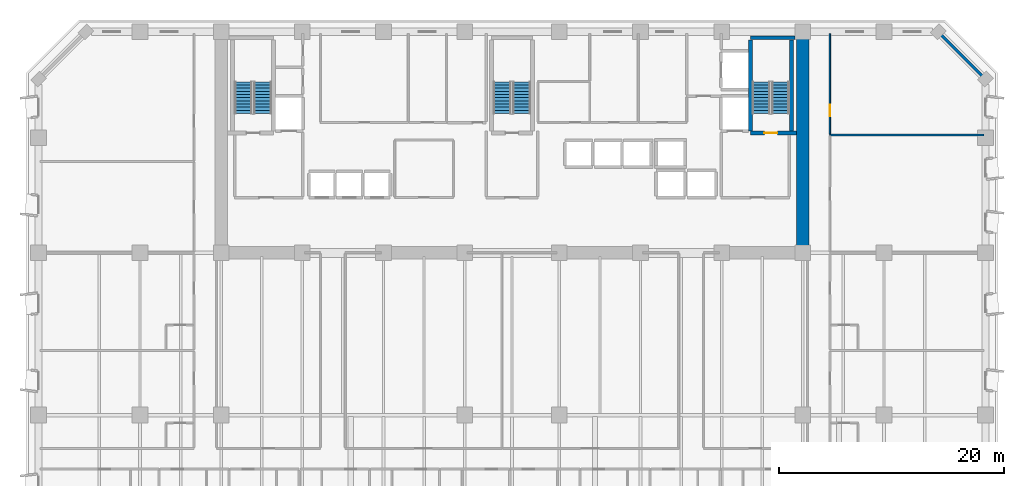
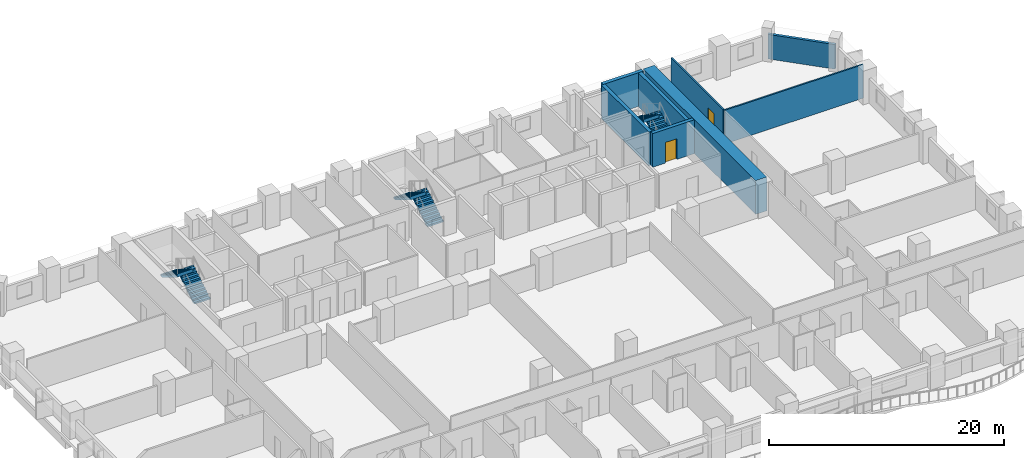
# One storey, part 11 of 15: 8 walls, 6 stair flights, 2 doors, 2 openings, 3 elements without a shape of their own.
"""IFC4 building model written with IfcOpenShell, lengths in metres."""

from ifc_helpers import new_model, si_unit, direction, frame, frame_2d, origin, place, context, subcontext, project, spatial, polyline, rectangle, outline, extrude, material, layer, layer_set, type_object, element, fill, aggregate, save


model = new_model("IFC4")

# Units and contexts
model_context = context("Model", 3, precision=1e-05, world=origin(), true_north=direction((0.0, 1.0)))
body_context = subcontext(model_context, "Body", "Model", "MODEL_VIEW")
ifc_project = project(units=[si_unit("LENGTHUNIT", "METRE"), si_unit("AREAUNIT", "SQUARE_METRE"), si_unit("VOLUMEUNIT", "CUBIC_METRE"), si_unit("PLANEANGLEUNIT", "RADIAN"), si_unit("MASSUNIT", "GRAM", prefix="KILO")], contexts=[model_context])

# Site, building, storey
site_placement = place(None, origin())
site = spatial("IfcSite", under=ifc_project, at=site_placement, CompositionType="ELEMENT")
building_placement = place(site_placement, origin())
building = spatial("IfcBuilding", under=site, at=building_placement, Name="Kaelvorn Grand Hotel", CompositionType="ELEMENT")
storey_placement = place(building_placement, frame((0.0, 0.0, 46.39990234375)))
storey = spatial("IfcBuildingStorey", under=building, at=storey_placement, Name="L09", CompositionType="ELEMENT", Elevation=46.39990234375)

# Walls
ifc_material_1 = material(Name="Concrete C80/95", Category="concrete")
ifc_layer_1 = layer(ifc_material_1, 1.10009765625)
ifc_layer_set_1 = layer_set([ifc_layer_1], Name="Concrete C80/95")
wall_type_1 = type_object("IfcWallType", Name="WL-CORE-1100-C80", PredefinedType="SHEAR", material=ifc_layer_set_1)
wall_1_placement = place(storey_placement, frame((67.800048828125, 29.39990234375, 0.0), z_axis=(0.0, 0.0, 1.0), x_axis=(0.0, 1.0, 0.0)))
element("IfcWall", 1, at=wall_1_placement, inside=storey, type_object=wall_type_1, Name="L09 Rear-Core East Shear Wall", PredefinedType="SHEAR", context=body_context, shape_type="SweptSolid", body=[
    extrude(rectangle(XDim=19.2001953125, YDim=1.10009765625, at=frame_2d((9.60009765625, 0.0))), origin(), (0.0, 0.0, 1.0), 3.510009765625),
])
ifc_material_2 = material(Name="Concrete C40/50", Category="concrete")
ifc_layer_2 = layer(ifc_material_2, 0.260009765625)
ifc_layer_set_2 = layer_set([ifc_layer_2], Name="Concrete C40/50")
wall_type_2 = type_object("IfcWallType", Name="WL-EXT-260-C40", PredefinedType="SOLIDWALL", material=ifc_layer_set_2)
wall_2_placement = place(storey_placement, frame((84.0, 44.800048828125, 0.0), z_axis=(0.0, 0.0, 1.0), x_axis=(-0.707106781187, 0.707106781187, 0.0)))
element("IfcWall", 2, at=wall_2_placement, inside=storey, type_object=wall_type_2, Name="L09 Exterior Architectural Concrete Wall 04", PredefinedType="SOLIDWALL", context=body_context, shape_type="SweptSolid", body=[
    extrude(rectangle(XDim=5.939697265625, YDim=0.260009765625, at=frame_2d((2.9697265625, 0.0))), origin(), (0.0, 0.0, 1.0), 2.56005859375),
])
ifc_material_3 = material(Name="Acoustic Gypsum & Stud Partition")
ifc_layer_3 = layer(ifc_material_3, 0.14990234375)
ifc_layer_set_3 = layer_set([ifc_layer_3], Name="Acoustic Gypsum & Stud Partition")
wall_type_3 = type_object("IfcWallType", Name="WL-PART-150-EI60", PredefinedType="PARTITIONING", material=ifc_layer_set_3)
wall_3_placement = place(storey_placement, frame((70.199951171875, 39.85009765625, 0.0), z_axis=(0.0, 0.0, 1.0), x_axis=(1.0, 0.0, 0.0)))
element("IfcWall", 3, at=wall_3_placement, inside=storey, type_object=wall_type_3, Name="L09 North-East Wellness Fitness Gym N Partition", PredefinedType="PARTITIONING", context=body_context, shape_type="SweptSolid", body=[
    extrude(rectangle(XDim=13.650146484375, YDim=0.14990234375, at=frame_2d((6.8251953125, 0.0))), origin(), (0.0, 0.0, 1.0), 3.510009765625),
])

# Wall, opening, door
wall_4_placement = place(storey_placement, frame((70.199951171875, 39.929931640625, 0.0), z_axis=(0.0, 0.0, 1.0), x_axis=(0.0, 1.0, 0.0)))
wall_4 = element("IfcWall", 4, at=wall_4_placement, inside=storey, type_object=wall_type_3, Name="L09 North-East Private Dining Restaurant W Partition", PredefinedType="PARTITIONING", context=body_context, shape_type="SweptSolid", body=[
    extrude(rectangle(XDim=8.920166015625, YDim=0.14990234375, at=frame_2d((4.4599609375, 0.0))), origin(), (0.0, 0.0, 1.0), 3.510009765625),
])
opening_1_placement = place(wall_4_placement, frame((1.60009765625, 0.0, 0.0)))
opening_1 = element("IfcOpeningElement", 5, at=opening_1_placement, cuts=wall_4, Name="Opening DI3", PredefinedType="OPENING", context=body_context, shape_type="SweptSolid", body=[
    extrude(rectangle(XDim=1.0, YDim=2.14990234375, at=frame_2d((0.5, 1.074951171875))), frame((0.0, 0.0849609375, 0.0), z_axis=(0.0, -1.0, 0.0), x_axis=(1.0, 0.0, 0.0)), (0.0, 0.0, 1.0), 0.169921875),
])
ifc_material_4 = material(Name="Timber Veneer Fire Leaf", Category="wood")
door_type_1 = type_object("IfcDoorType", Name="DR-INT-GUEST-1000x2150", OperationType="NOTDEFINED", PredefinedType="DOOR", material=ifc_material_4)
door_1_placement = place(opening_1_placement, origin())
door_1 = element("IfcDoor", 6, at=door_1_placement, inside=storey, type_object=door_type_1, Name="L09 North-East Private Dining Restaurant Door", OperationType="SINGLE_SWING_RIGHT", OverallHeight=2.14990234375, OverallWidth=1.0, PredefinedType="DOOR", context=body_context, shape_type="SweptSolid", body=[
    extrude(rectangle(XDim=1.0, YDim=2.14990234375, at=frame_2d((0.5, 1.074951171875))), frame((0.0, 0.02490234375, 0.0), z_axis=(0.0, -1.0, 0.0), x_axis=(1.0, 0.0, 0.0)), (0.0, 0.0, 1.0), 0.050048828125),
])
fill(opening_1, door_1)

ifc_material_5 = material(Name="Concrete C60/75", Category="concrete")
ifc_layer_4 = layer(ifc_material_5, 0.35009765625)
ifc_layer_set_4 = layer_set([ifc_layer_4], Name="Concrete C60/75")
wall_type_4 = type_object("IfcWallType", Name="WL-SHAFT-350-C60", PredefinedType="SHEAR", material=ifc_layer_set_4)
wall_5_placement = place(storey_placement, frame((63.14501953125, 40.02490234375, 0.0), z_axis=(0.0, 0.0, 1.0), x_axis=(1.0, 0.0, 0.0)))
wall_5 = element("IfcWall", 7, at=wall_5_placement, inside=storey, type_object=wall_type_4, Name="L09 ST3 Stair Shaft South Wall", PredefinedType="SHEAR", context=body_context, shape_type="SweptSolid", body=[
    extrude(rectangle(XDim=4.10009765625, YDim=0.35009765625, at=frame_2d((2.050048828125, 0.0))), origin(), (0.0, 0.0, 1.0), 3.510009765625),
])
opening_2_placement = place(wall_5_placement, frame((1.239990234375, 0.0, 0.0)))
opening_2 = element("IfcOpeningElement", 8, at=opening_2_placement, cuts=wall_5, Name="Opening DI1", PredefinedType="OPENING", context=body_context, shape_type="SweptSolid", body=[
    extrude(rectangle(XDim=1.14990234375, YDim=2.14990234375, at=frame_2d((0.574951171875, 1.074951171875))), frame((0.0, 0.18505859375, 0.0), z_axis=(0.0, -1.0, 0.0), x_axis=(1.0, 0.0, 0.0)), (0.0, 0.0, 1.0), 0.3701171875),
])
door_type_2 = type_object("IfcDoorType", Name="DR-INT-STAIR-1150x2150", OperationType="NOTDEFINED", PredefinedType="DOOR", material=ifc_material_4)
door_2_placement = place(opening_2_placement, origin())
door_2 = element("IfcDoor", 9, at=door_2_placement, inside=storey, type_object=door_type_2, Name="L09 ST3 Exit Stair Fire Door", OperationType="SINGLE_SWING_LEFT", OverallHeight=2.14990234375, OverallWidth=1.14990234375, PredefinedType="DOOR", context=body_context, shape_type="SweptSolid", body=[
    extrude(rectangle(XDim=1.14990234375, YDim=2.14990234375, at=frame_2d((0.574951171875, 1.074951171875))), frame((0.0, 0.02490234375, 0.0), z_axis=(0.0, -1.0, 0.0), x_axis=(1.0, 0.0, 0.0)), (0.0, 0.0, 1.0), 0.050048828125),
])
fill(opening_2, door_2)

# Walls
wall_6_placement = place(storey_placement, frame((63.14501953125, 48.47509765625, 0.0), z_axis=(0.0, 0.0, 1.0), x_axis=(1.0, 0.0, 0.0)))
element("IfcWall", 10, at=wall_6_placement, inside=storey, type_object=wall_type_4, Name="L09 ST3 Stair Shaft North Wall", PredefinedType="SHEAR", context=body_context, shape_type="SweptSolid", body=[
    extrude(rectangle(XDim=3.949951171875, YDim=0.35009765625, at=frame_2d((1.97509765625, 0.0))), origin(), (0.0, 0.0, 1.0), 3.510009765625),
])
for number, where, z_axis, x_axis, name in (
    (11, (63.14501953125, 40.205078125, 0.0), (0.0, 0.0, 1.0), (0.0, 1.0, 0.0), "L09 ST3 Stair Shaft West Wall"),
    (12, (66.77490234375, 40.205078125, 0.0), (0.0, 0.0, 1.0), (0.0, 1.0, 0.0), "L09 ST3 Stair Shaft East Wall"),
):
    element("IfcWall", number, at=place(storey_placement, frame(where, z_axis=z_axis, x_axis=x_axis)), inside=storey, type_object=wall_type_4, Name=name, PredefinedType="SHEAR", context=body_context, shape_type="SweptSolid", body=[
        extrude(rectangle(XDim=8.08984375, YDim=0.35009765625, at=frame_2d((4.044921875, 0.0))), origin(), (0.0, 0.0, 1.0), 3.510009765625),
    ])

# Stair, stair flights
stair_type = type_object("IfcStairType", Name="STR-DOG-1560-R06", PredefinedType="HALF_TURN_STAIR", material=ifc_material_2)
stair_1_placement = place(storey_placement, origin())
stair_1 = element("IfcStair", 13, at=stair_1_placement, inside=storey, type_object=stair_type, Name="L09 West Core Exit Stair ST1", PredefinedType="HALF_TURN_STAIR")
stair_flight_type = type_object("IfcStairFlightType", Name="FLG-DOG-1560-R06", PredefinedType="STRAIGHT", material=ifc_material_2)
stair_flight_1_placement = place(storey_placement, frame((19.89990234375, 41.760009765625, 0.0), z_axis=(0.0, 0.0, 1.0), x_axis=(0.0, 1.0, 0.0)))
stair_flight_1 = element("IfcStairFlight", 14, at=stair_flight_1_placement, type_object=stair_flight_type, Name="ST1 flight 1", NumberOfRisers=11, NumberOfTreads=10, PredefinedType="STRAIGHT", RiserHeight=0.170454545, TreadLength=0.28, context=body_context, shape_type="SweptSolid", body=[
    extrude(outline(polyline([(-0.0048828125, 0.0), (-0.0048828125, 0.0400390625), (0.0, 0.17041015625), (0.280029296875, 0.17041015625), (0.280029296875, 0.3408203125), (0.56005859375, 0.3408203125), (0.56005859375, 0.511474609375), (0.840087890625, 0.511474609375), (0.840087890625, 0.681884765625), (1.1201171875, 0.681884765625), (1.1201171875, 0.852294921875), (1.39990234375, 0.852294921875), (1.39990234375, 1.022705078125), (1.679931640625, 1.022705078125), (1.679931640625, 1.193115234375), (1.9599609375, 1.193115234375), (1.9599609375, 1.363525390625), (2.239990234375, 1.363525390625), (2.239990234375, 1.5341796875), (2.52001953125, 1.5341796875), (2.52001953125, 1.70458984375), (2.800048828125, 1.70458984375), (2.800048828125, 1.875), (2.804931640625, 1.875), (2.804931640625, 1.529052734375), (0.288330078125, 0.0), (-0.0048828125, 0.0)])), frame((0.0, 0.780029296875, 0.0), z_axis=(0.0, -1.0, 0.0), x_axis=(1.0, 0.0, 0.0)), (0.0, 0.0, 1.0), 1.56005859375),
])
stair_flight_2_placement = place(storey_placement, frame((18.179931640625, 44.56005859375, 1.875), z_axis=(0.0, 0.0, 1.0), x_axis=(0.0, -1.0, 0.0)))
stair_flight_2 = element("IfcStairFlight", 15, at=stair_flight_2_placement, type_object=stair_flight_type, Name="ST1 flight 2", NumberOfRisers=11, NumberOfTreads=10, PredefinedType="STRAIGHT", RiserHeight=0.170454545, TreadLength=0.28, context=body_context, shape_type="SweptSolid", body=[
    extrude(outline(polyline([(-0.0048828125, 0.0), (-0.0048828125, 0.0400390625), (0.0, 0.17041015625), (0.280029296875, 0.17041015625), (0.280029296875, 0.3408203125), (0.56005859375, 0.3408203125), (0.56005859375, 0.511474609375), (0.840087890625, 0.511474609375), (0.840087890625, 0.681884765625), (1.1201171875, 0.681884765625), (1.1201171875, 0.852294921875), (1.39990234375, 0.852294921875), (1.39990234375, 1.022705078125), (1.679931640625, 1.022705078125), (1.679931640625, 1.193115234375), (1.9599609375, 1.193115234375), (1.9599609375, 1.363525390625), (2.239990234375, 1.363525390625), (2.239990234375, 1.5341796875), (2.52001953125, 1.5341796875), (2.52001953125, 1.70458984375), (2.800048828125, 1.70458984375), (2.800048828125, 1.875), (2.804931640625, 1.875), (2.804931640625, 1.529052734375), (0.288330078125, 0.0), (-0.0048828125, 0.0)])), frame((0.0, 0.780029296875, 0.0), z_axis=(0.0, -1.0, 0.0), x_axis=(1.0, 0.0, 0.0)), (0.0, 0.0, 1.0), 1.56005859375),
])
aggregate(stair_1, [stair_flight_1, stair_flight_2])

stair_2_placement = place(storey_placement, origin())
stair_2 = element("IfcStair", 16, at=stair_2_placement, inside=storey, type_object=stair_type, Name="L09 Central Core Exit Stair ST2", PredefinedType="HALF_TURN_STAIR")
stair_flight_3_placement = place(storey_placement, frame((42.860107421875, 41.760009765625, 0.0), z_axis=(0.0, 0.0, 1.0), x_axis=(0.0, 1.0, 0.0)))
stair_flight_3 = element("IfcStairFlight", 17, at=stair_flight_3_placement, type_object=stair_flight_type, Name="ST2 flight 1", NumberOfRisers=11, NumberOfTreads=10, PredefinedType="STRAIGHT", RiserHeight=0.170454545, TreadLength=0.28, context=body_context, shape_type="SweptSolid", body=[
    extrude(outline(polyline([(-0.0048828125, 0.0), (-0.0048828125, 0.0400390625), (0.0, 0.17041015625), (0.280029296875, 0.17041015625), (0.280029296875, 0.3408203125), (0.56005859375, 0.3408203125), (0.56005859375, 0.511474609375), (0.840087890625, 0.511474609375), (0.840087890625, 0.681884765625), (1.1201171875, 0.681884765625), (1.1201171875, 0.852294921875), (1.39990234375, 0.852294921875), (1.39990234375, 1.022705078125), (1.679931640625, 1.022705078125), (1.679931640625, 1.193115234375), (1.9599609375, 1.193115234375), (1.9599609375, 1.363525390625), (2.239990234375, 1.363525390625), (2.239990234375, 1.5341796875), (2.52001953125, 1.5341796875), (2.52001953125, 1.70458984375), (2.800048828125, 1.70458984375), (2.800048828125, 1.875), (2.804931640625, 1.875), (2.804931640625, 1.529052734375), (0.288330078125, 0.0), (-0.0048828125, 0.0)])), frame((0.0, 0.780029296875, 0.0), z_axis=(0.0, -1.0, 0.0), x_axis=(1.0, 0.0, 0.0)), (0.0, 0.0, 1.0), 1.56005859375),
])
stair_flight_4_placement = place(storey_placement, frame((41.139892578125, 44.56005859375, 1.875), z_axis=(0.0, 0.0, 1.0), x_axis=(0.0, -1.0, 0.0)))
stair_flight_4 = element("IfcStairFlight", 18, at=stair_flight_4_placement, type_object=stair_flight_type, Name="ST2 flight 2", NumberOfRisers=11, NumberOfTreads=10, PredefinedType="STRAIGHT", RiserHeight=0.170454545, TreadLength=0.28, context=body_context, shape_type="SweptSolid", body=[
    extrude(outline(polyline([(-0.0048828125, 0.0), (-0.0048828125, 0.0400390625), (0.0, 0.17041015625), (0.280029296875, 0.17041015625), (0.280029296875, 0.3408203125), (0.56005859375, 0.3408203125), (0.56005859375, 0.511474609375), (0.840087890625, 0.511474609375), (0.840087890625, 0.681884765625), (1.1201171875, 0.681884765625), (1.1201171875, 0.852294921875), (1.39990234375, 0.852294921875), (1.39990234375, 1.022705078125), (1.679931640625, 1.022705078125), (1.679931640625, 1.193115234375), (1.9599609375, 1.193115234375), (1.9599609375, 1.363525390625), (2.239990234375, 1.363525390625), (2.239990234375, 1.5341796875), (2.52001953125, 1.5341796875), (2.52001953125, 1.70458984375), (2.800048828125, 1.70458984375), (2.800048828125, 1.875), (2.804931640625, 1.875), (2.804931640625, 1.529052734375), (0.288330078125, 0.0), (-0.0048828125, 0.0)])), frame((0.0, 0.780029296875, 0.0), z_axis=(0.0, -1.0, 0.0), x_axis=(1.0, 0.0, 0.0)), (0.0, 0.0, 1.0), 1.56005859375),
])
aggregate(stair_2, [stair_flight_3, stair_flight_4])

stair_3_placement = place(storey_placement, origin())
stair_3 = element("IfcStair", 19, at=stair_3_placement, inside=storey, type_object=stair_type, Name="L09 East Core Exit Stair ST3", PredefinedType="HALF_TURN_STAIR")
stair_flight_5_placement = place(storey_placement, frame((65.820068359375, 41.760009765625, 0.0), z_axis=(0.0, 0.0, 1.0), x_axis=(0.0, 1.0, 0.0)))
stair_flight_5 = element("IfcStairFlight", 20, at=stair_flight_5_placement, type_object=stair_flight_type, Name="ST3 flight 1", NumberOfRisers=11, NumberOfTreads=10, PredefinedType="STRAIGHT", RiserHeight=0.170454545, TreadLength=0.28, context=body_context, shape_type="SweptSolid", body=[
    extrude(outline(polyline([(-0.0048828125, 0.0), (-0.0048828125, 0.0400390625), (0.0, 0.17041015625), (0.280029296875, 0.17041015625), (0.280029296875, 0.3408203125), (0.56005859375, 0.3408203125), (0.56005859375, 0.511474609375), (0.840087890625, 0.511474609375), (0.840087890625, 0.681884765625), (1.1201171875, 0.681884765625), (1.1201171875, 0.852294921875), (1.39990234375, 0.852294921875), (1.39990234375, 1.022705078125), (1.679931640625, 1.022705078125), (1.679931640625, 1.193115234375), (1.9599609375, 1.193115234375), (1.9599609375, 1.363525390625), (2.239990234375, 1.363525390625), (2.239990234375, 1.5341796875), (2.52001953125, 1.5341796875), (2.52001953125, 1.70458984375), (2.800048828125, 1.70458984375), (2.800048828125, 1.875), (2.804931640625, 1.875), (2.804931640625, 1.529052734375), (0.288330078125, 0.0), (-0.0048828125, 0.0)])), frame((0.0, 0.780029296875, 0.0), z_axis=(0.0, -1.0, 0.0), x_axis=(1.0, 0.0, 0.0)), (0.0, 0.0, 1.0), 1.56005859375),
])
stair_flight_6_placement = place(storey_placement, frame((64.10009765625, 44.56005859375, 1.875), z_axis=(0.0, 0.0, 1.0), x_axis=(0.0, -1.0, 0.0)))
stair_flight_6 = element("IfcStairFlight", 21, at=stair_flight_6_placement, type_object=stair_flight_type, Name="ST3 flight 2", NumberOfRisers=11, NumberOfTreads=10, PredefinedType="STRAIGHT", RiserHeight=0.170454545, TreadLength=0.28, context=body_context, shape_type="SweptSolid", body=[
    extrude(outline(polyline([(-0.0048828125, 0.0), (-0.0048828125, 0.0400390625), (0.0, 0.17041015625), (0.280029296875, 0.17041015625), (0.280029296875, 0.3408203125), (0.56005859375, 0.3408203125), (0.56005859375, 0.511474609375), (0.840087890625, 0.511474609375), (0.840087890625, 0.681884765625), (1.1201171875, 0.681884765625), (1.1201171875, 0.852294921875), (1.39990234375, 0.852294921875), (1.39990234375, 1.022705078125), (1.679931640625, 1.022705078125), (1.679931640625, 1.193115234375), (1.9599609375, 1.193115234375), (1.9599609375, 1.363525390625), (2.239990234375, 1.363525390625), (2.239990234375, 1.5341796875), (2.52001953125, 1.5341796875), (2.52001953125, 1.70458984375), (2.800048828125, 1.70458984375), (2.800048828125, 1.875), (2.804931640625, 1.875), (2.804931640625, 1.529052734375), (0.288330078125, 0.0), (-0.0048828125, 0.0)])), frame((0.0, 0.780029296875, 0.0), z_axis=(0.0, -1.0, 0.0), x_axis=(1.0, 0.0, 0.0)), (0.0, 0.0, 1.0), 1.56005859375),
])
aggregate(stair_3, [stair_flight_5, stair_flight_6])

save(model, "model.ifc")
